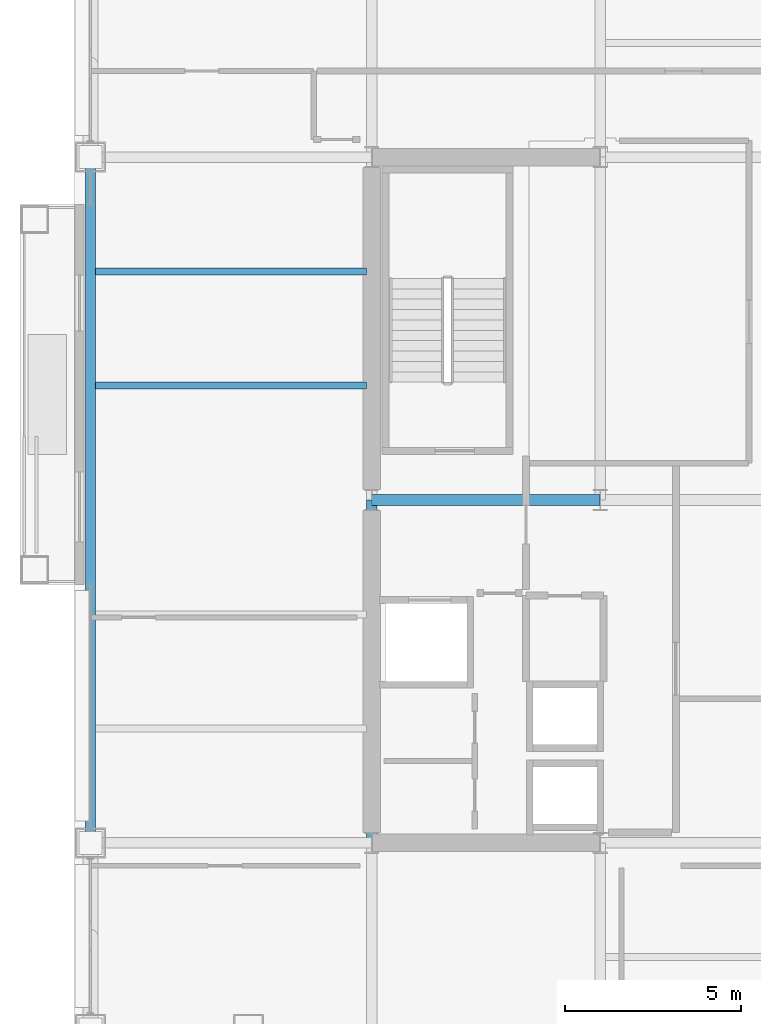
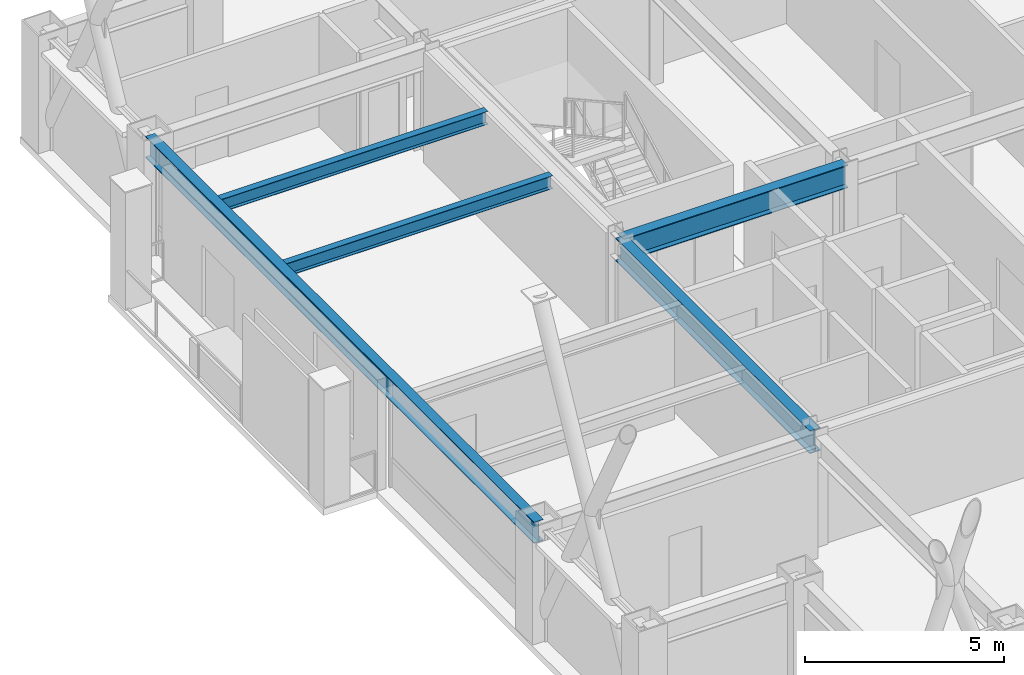
# One storey, part 11 of 34: 5 beams.
"""IFC4 building model written with IfcOpenShell, lengths in metres."""

from ifc_helpers import new_model, si_unit, direction, frame, origin, origin_2d, place, context, subcontext, project, spatial, i_section, extrude, material, material_profile, profile_set, type_object, element, save


model = new_model("IFC4")

# Units and contexts
model_context = context("Model", 3, precision=1e-05, world=origin(), true_north=direction((0.0, 1.0)))
body_context = subcontext(model_context, "Body", "Model", "MODEL_VIEW")
ifc_project = project(units=[si_unit("LENGTHUNIT", "METRE"), si_unit("AREAUNIT", "SQUARE_METRE"), si_unit("VOLUMEUNIT", "CUBIC_METRE"), si_unit("PLANEANGLEUNIT", "RADIAN"), si_unit("MASSUNIT", "GRAM", prefix="KILO")], contexts=[model_context])

# Site, building, storey
site_placement = place(None, origin())
site = spatial("IfcSite", under=ifc_project, at=site_placement, CompositionType="ELEMENT")
building_placement = place(site_placement, origin())
building = spatial("IfcBuilding", under=site, at=building_placement, Name="Brelmoor Portico Tower", CompositionType="ELEMENT")
storey_placement = place(building_placement, frame((0.0, 0.0, 99.0)))
storey = spatial("IfcBuildingStorey", under=building, at=storey_placement, Name="L25", CompositionType="ELEMENT", Elevation=99.0)

# Beams
ifc_material = material(Name="Steel Q355B", Category="steel")
ifc_material_profile_1 = material_profile(ifc_material, i_section(OverallWidth=0.199951171875, OverallDepth=0.39990234375, WebThickness=0.008056640625, FlangeThickness=0.012939453125, at=origin_2d()), Name="HN 400x200x8x13")
ifc_profile_set_1 = profile_set([ifc_material_profile_1], Name="Steel Q355B")
beam_type_1 = type_object("IfcBeamType", Name="BM-JS-400", PredefinedType="JOIST", material=ifc_profile_set_1)
for number, where, z_axis, x_axis, name in (
    (1, (-22.409912109375, 3.25, 3.199951171875), (1.0, 0.0, 0.0), (0.0, 1.0, 0.0), "L25 Secondary Wing Joist JS-W07"),
    (2, (-22.409912109375, 6.5, 3.199951171875), (1.0, 0.0, 0.0), (0.0, 1.0, 0.0), "L25 Secondary Wing Joist JS-W08"),
):
    element("IfcBeam", number, at=place(storey_placement, frame(where, z_axis=z_axis, x_axis=x_axis)), inside=storey, type_object=beam_type_1, Name=name, PredefinedType="JOIST", context=body_context, shape_type="SweptSolid", body=[
        extrude(i_section(OverallWidth=0.199951171875, OverallDepth=0.39990234375, WebThickness=0.008056640625, FlangeThickness=0.012939453125, at=origin_2d()), origin(), (0.0, 0.0, 1.0), 7.7099609375),
    ])
ifc_material_profile_2 = material_profile(ifc_material, i_section(OverallWidth=0.300048828125, OverallDepth=0.699951171875, WebThickness=0.012939453125, FlangeThickness=0.02392578125, at=origin_2d()), Name="HN 700x300x13x24")
ifc_profile_set_2 = profile_set([ifc_material_profile_2], Name="Steel Q355B")
beam_type_2 = type_object("IfcBeamType", Name="BM-PG-700", PredefinedType="BEAM", material=ifc_profile_set_2)
beam_1_placement = place(storey_placement, frame((-14.550048828125, -9.75, 3.050048828125), z_axis=(0.0, 1.0, 0.0), x_axis=(-1.0, 0.0, 0.0)))
element("IfcBeam", 3, at=beam_1_placement, inside=storey, type_object=beam_type_2, Name="L25 Primary Floor Girder PG-02", PredefinedType="BEAM", context=body_context, shape_type="SweptSolid", body=[
    extrude(i_section(OverallWidth=0.300048828125, OverallDepth=0.699951171875, WebThickness=0.012939453125, FlangeThickness=0.02392578125, at=origin_2d()), origin(), (0.0, 0.0, 1.0), 9.75),
])
beam_2_placement = place(storey_placement, frame((-14.550048828125, 0.0, 3.050048828125), z_axis=(1.0, 0.0, 0.0), x_axis=(0.0, 1.0, 0.0)))
element("IfcBeam", 4, at=beam_2_placement, inside=storey, type_object=beam_type_2, Name="L25 Primary Floor Girder PG-19", PredefinedType="BEAM", context=body_context, shape_type="SweptSolid", body=[
    extrude(i_section(OverallWidth=0.300048828125, OverallDepth=0.699951171875, WebThickness=0.012939453125, FlangeThickness=0.02392578125, at=origin_2d()), origin(), (0.0, 0.0, 1.0), 6.5),
])
ifc_material_profile_3 = material_profile(ifc_material, i_section(OverallWidth=0.280029296875, OverallDepth=0.64990234375, WebThickness=0.012939453125, FlangeThickness=0.02197265625, at=origin_2d()), Name="HN 650x280x13x22")
ifc_profile_set_3 = profile_set([ifc_material_profile_3], Name="Steel Q355B")
beam_type_3 = type_object("IfcBeamType", Name="BM-SP-650", PredefinedType="SPANDREL", material=ifc_profile_set_3)
beam_3_placement = place(storey_placement, frame((-22.550048828125, -9.75, 3.074951171875), z_axis=(0.0, 1.0, 0.0), x_axis=(-1.0, 0.0, 0.0)))
element("IfcBeam", 5, at=beam_3_placement, inside=storey, type_object=beam_type_3, Name="L25 Perimeter Spandrel Beam SP-16", PredefinedType="SPANDREL", context=body_context, shape_type="SweptSolid", body=[
    extrude(i_section(OverallWidth=0.280029296875, OverallDepth=0.64990234375, WebThickness=0.012939453125, FlangeThickness=0.02197265625, at=origin_2d()), origin(), (0.0, 0.0, 1.0), 19.5),
])

save(model, "model.ifc")
